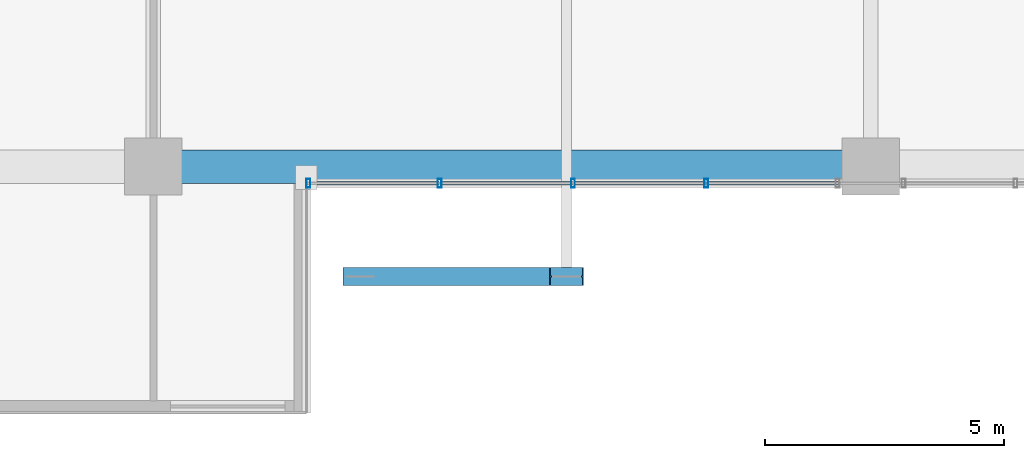
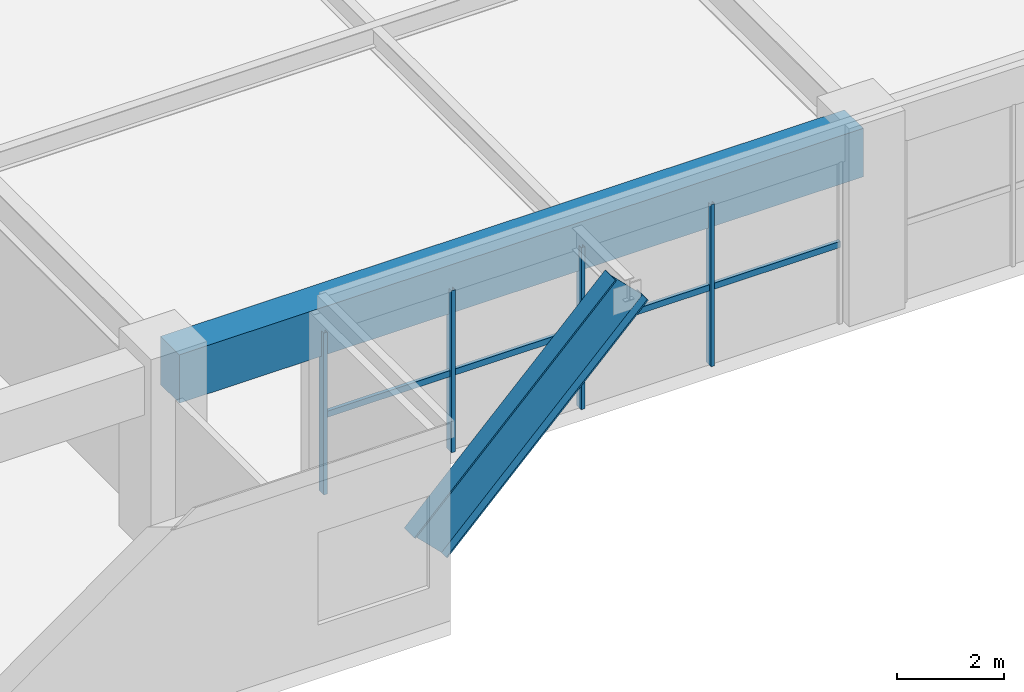
# One storey, part 2 of 24: 9 members, 1 beam, 1 element without a shape of its own.
"""IFC4 building model written with IfcOpenShell, lengths in metres."""

from ifc_helpers import new_model, si_unit, direction, frame, origin, origin_2d, place, context, subcontext, project, spatial, rectangle, hollow_rectangle, i_section, extrude, source, transform, mapped, material, material_profile, profile_set, type_object, element, aggregate, save


model = new_model("IFC4")

# Units and contexts
model_context = context("Model", 3, precision=1e-05, world=origin(), true_north=direction((0.0, 1.0)))
body_context = subcontext(model_context, "Body", "Model", "MODEL_VIEW")
ifc_project = project(units=[si_unit("LENGTHUNIT", "METRE"), si_unit("AREAUNIT", "SQUARE_METRE"), si_unit("VOLUMEUNIT", "CUBIC_METRE"), si_unit("PLANEANGLEUNIT", "RADIAN"), si_unit("MASSUNIT", "GRAM", prefix="KILO")], contexts=[model_context])

# Site, building, storey
site_placement = place(None, origin())
site = spatial("IfcSite", under=ifc_project, at=site_placement, CompositionType="ELEMENT")
building_placement = place(site_placement, origin())
building = spatial("IfcBuilding", under=site, at=building_placement, Name="Trelvane Seafront Commons", CompositionType="ELEMENT")
storey_placement = place(building_placement, frame((0.0, 0.0, 5.199951171875)))
storey = spatial("IfcBuildingStorey", under=building, at=storey_placement, Name="L01", CompositionType="ELEMENT", Elevation=5.199951171875)

# Beam
ifc_material_1 = material(Name="Concrete C50/60", Category="concrete")
ifc_material_profile_1 = material_profile(ifc_material_1, rectangle(XDim=0.699951171875, YDim=1.10009765625, at=origin_2d()), Name="RC-700x1100")
ifc_profile_set_1 = profile_set([ifc_material_profile_1], Name="Concrete C50/60")
beam_type = type_object("IfcBeamType", Name="STR-TBM-RC700x1100", PredefinedType="T_BEAM", material=ifc_profile_set_1)
shared_shape_1 = source(origin(), body_context, "Body", "SweptSolid", [
    extrude(rectangle(XDim=0.699951171875, YDim=1.10009765625, at=origin_2d()), origin(), (0.0, 0.0, 1.0), 14.699951171875),
])
beam_placement = place(storey_placement, frame((15.75, 3.949951171875, 3.650146484375), z_axis=(1.0, 0.0, 0.0), x_axis=(0.0, 1.0, 0.0)))
element("IfcBeam", 1, at=beam_placement, inside=storey, type_object=beam_type, Name="L01 Primary Girder G-03", PredefinedType="T_BEAM", context=body_context, shape_type="MappedRepresentation", body=[
    mapped(shared_shape_1, transform((0.0, 0.0, 0.0), x_axis=(1.0, 0.0, 0.0), y_axis=(0.0, 1.0, 0.0), z_axis=(0.0, 0.0, 1.0), scale=1.0)),
])

# Member
ifc_material_2 = material(Name="Steel SM355 (S355)", Category="steel")
ifc_material_profile_2 = material_profile(ifc_material_2, i_section(OverallWidth=0.3798828125, OverallDepth=1.0, WebThickness=0.01904296875, FlangeThickness=0.033935546875, at=origin_2d()), Name="W-1000x380x19x34")
ifc_profile_set_2 = profile_set([ifc_material_profile_2], Name="Steel SM355 (S355)")
member_type_1 = type_object("IfcMemberType", Name="STR-STR-W1000", PredefinedType="STRUT", material=ifc_profile_set_2)
shared_shape_2 = source(origin(), body_context, "Body", "SweptSolid", [
    extrude(i_section(OverallWidth=0.3798828125, OverallDepth=1.0, WebThickness=0.01904296875, FlangeThickness=0.033935546875, at=origin_2d()), origin(), (0.0, 0.0, 1.0), 6.130615234375),
])
member_1_placement = place(storey_placement, frame((19.919921875, 1.64990234375, -0.349853515625), z_axis=(0.704673386832, 0.0, 0.709531830076), x_axis=(0.0, 1.0, 0.0)))
element("IfcMember", 2, at=member_1_placement, inside=storey, type_object=member_type_1, Name="L01 Base Inverted-V Portal Mega-Strut VP-W", PredefinedType="STRUT", context=body_context, shape_type="MappedRepresentation", body=[
    mapped(shared_shape_2, transform((0.0, 0.0, 0.0), x_axis=(1.0, 0.0, 0.0), y_axis=(0.0, 1.0, 0.0), z_axis=(0.0, 0.0, 1.0), scale=1.0)),
])

# Curtain wall, members
ifc_material_3 = material(Name="Anodised pale-silver aluminium", Category="aluminium")
curtain_wall_type = type_object("IfcCurtainWallType", Name="ARCH-CW1-PODIUM", PredefinedType="NOTDEFINED", material=ifc_material_3)
curtain_wall_placement = place(storey_placement, origin())
curtain_wall = element("IfcCurtainWall", 3, at=curtain_wall_placement, inside=storey, type_object=curtain_wall_type, Name="CW-L01-VP-0012", PredefinedType="NOTDEFINED")
ifc_material_profile_3 = material_profile(ifc_material_3, hollow_rectangle(XDim=0.080078125, YDim=0.179931640625, WallThickness=0.00439453125, at=origin_2d()), Name="MULL-80x180x4.5")
ifc_profile_set_3 = profile_set([ifc_material_profile_3], Name="Anodised pale-silver aluminium")
member_type_2 = type_object("IfcMemberType", Name="ARCH-CW-MULL-180", PredefinedType="MULLION", material=ifc_profile_set_3)
shared_shape_3 = source(origin(), body_context, "Body", "SweptSolid", [
    extrude(hollow_rectangle(XDim=0.080078125, YDim=0.179931640625, WallThickness=0.00439453125, at=origin_2d()), origin(), (0.0, 0.0, 1.0), 3.679931640625),
])
member_2_placement = place(storey_placement, frame((27.16259765625, 3.60009765625, 0.0), z_axis=(0.0, 0.0, 1.0), x_axis=(1.0, 0.0, 0.0)))
member_2 = element("IfcMember", 4, at=member_2_placement, type_object=member_type_2, Name="CW-L01-VP-0012-M01", PredefinedType="MULLION", context=body_context, shape_type="MappedRepresentation", body=[
    mapped(shared_shape_3, transform((0.0, 0.0, 0.0), x_axis=(1.0, 0.0, 0.0), y_axis=(0.0, 1.0, 0.0), z_axis=(0.0, 0.0, 1.0), scale=1.0)),
])
member_3_placement = place(storey_placement, frame((24.375, 3.60009765625, 0.0), z_axis=(0.0, 0.0, 1.0), x_axis=(1.0, 0.0, 0.0)))
member_3 = element("IfcMember", 5, at=member_3_placement, type_object=member_type_2, Name="CW-L01-VP-0012-M02", PredefinedType="MULLION", context=body_context, shape_type="MappedRepresentation", body=[
    mapped(shared_shape_3, transform((0.0, 0.0, 0.0), x_axis=(1.0, 0.0, 0.0), y_axis=(0.0, 1.0, 0.0), z_axis=(0.0, 0.0, 1.0), scale=1.0)),
])
member_4_placement = place(storey_placement, frame((21.58740234375, 3.60009765625, 0.0), z_axis=(0.0, 0.0, 1.0), x_axis=(1.0, 0.0, 0.0)))
member_4 = element("IfcMember", 6, at=member_4_placement, type_object=member_type_2, Name="CW-L01-VP-0012-M03", PredefinedType="MULLION", context=body_context, shape_type="MappedRepresentation", body=[
    mapped(shared_shape_3, transform((0.0, 0.0, 0.0), x_axis=(1.0, 0.0, 0.0), y_axis=(0.0, 1.0, 0.0), z_axis=(0.0, 0.0, 1.0), scale=1.0)),
])
member_5_placement = place(storey_placement, frame((18.840087890625, 3.60009765625, 0.0), z_axis=(0.0, 0.0, 1.0), x_axis=(1.0, 0.0, 0.0)))
member_5 = element("IfcMember", 7, at=member_5_placement, type_object=member_type_2, Name="CW-L01-VP-0012-M04", PredefinedType="MULLION", context=body_context, shape_type="MappedRepresentation", body=[
    mapped(shared_shape_3, transform((0.0, 0.0, 0.0), x_axis=(1.0, 0.0, 0.0), y_axis=(0.0, 1.0, 0.0), z_axis=(0.0, 0.0, 1.0), scale=1.0)),
])
ifc_material_profile_4 = material_profile(ifc_material_3, hollow_rectangle(XDim=0.074951171875, YDim=0.139892578125, WallThickness=0.00390625, at=origin_2d()), Name="TRAN-75x140x4")
ifc_profile_set_4 = profile_set([ifc_material_profile_4], Name="Anodised pale-silver aluminium")
member_type_3 = type_object("IfcMemberType", Name="ARCH-CW-TRAN-140", PredefinedType="USERDEFINED", material=ifc_profile_set_4)
shared_shape_4 = source(origin(), body_context, "Body", "SweptSolid", [
    extrude(hollow_rectangle(XDim=0.074951171875, YDim=0.139892578125, WallThickness=0.00390625, at=origin_2d()), origin(), (0.0, 0.0, 1.0), 2.763427734375),
])
member_6_placement = place(storey_placement, frame((29.93798828125, 3.60009765625, 1.76611328125), z_axis=(-1.0, 0.0, 0.0), x_axis=(0.0, -1.0, 0.0)))
member_6 = element("IfcMember", 8, at=member_6_placement, type_object=member_type_3, Name="CW-L01-VP-0012-T00", ObjectType="TRANSOM", PredefinedType="USERDEFINED", context=body_context, shape_type="MappedRepresentation", body=[
    mapped(shared_shape_4, transform((0.0, 0.0, 0.0), x_axis=(1.0, 0.0, 0.0), y_axis=(0.0, 1.0, 0.0), z_axis=(0.0, 0.0, 1.0), scale=1.0)),
])
member_7_placement = place(storey_placement, frame((27.150390625, 3.60009765625, 1.76611328125), z_axis=(-1.0, 0.0, 0.0), x_axis=(0.0, -1.0, 0.0)))
member_7 = element("IfcMember", 9, at=member_7_placement, type_object=member_type_3, Name="CW-L01-VP-0012-T01", ObjectType="TRANSOM", PredefinedType="USERDEFINED", context=body_context, shape_type="MappedRepresentation", body=[
    mapped(shared_shape_4, transform((0.0, 0.0, 0.0), x_axis=(1.0, 0.0, 0.0), y_axis=(0.0, 1.0, 0.0), z_axis=(0.0, 0.0, 1.0), scale=1.0)),
])
member_8_placement = place(storey_placement, frame((24.363037109375, 3.60009765625, 1.76611328125), z_axis=(-1.0, 0.0, 0.0), x_axis=(0.0, -1.0, 0.0)))
member_8 = element("IfcMember", 10, at=member_8_placement, type_object=member_type_3, Name="CW-L01-VP-0012-T02", ObjectType="TRANSOM", PredefinedType="USERDEFINED", context=body_context, shape_type="MappedRepresentation", body=[
    mapped(shared_shape_4, transform((0.0, 0.0, 0.0), x_axis=(1.0, 0.0, 0.0), y_axis=(0.0, 1.0, 0.0), z_axis=(0.0, 0.0, 1.0), scale=1.0)),
])
member_9_placement = place(storey_placement, frame((21.575439453125, 3.60009765625, 1.76611328125), z_axis=(-1.0, 0.0, 0.0), x_axis=(0.0, -1.0, 0.0)))
member_9 = element("IfcMember", 11, at=member_9_placement, type_object=member_type_3, Name="CW-L01-VP-0012-T03", ObjectType="TRANSOM", PredefinedType="USERDEFINED", context=body_context, shape_type="MappedRepresentation", body=[
    mapped(shared_shape_4, transform((0.0, 0.0, 0.0), x_axis=(1.0, 0.0, 0.0), y_axis=(0.0, 1.0, 0.0), z_axis=(0.0, 0.0, 1.0), scale=1.0)),
])
aggregate(curtain_wall, [member_2, member_3, member_4, member_5, member_6, member_7, member_8, member_9])

save(model, "model.ifc")
